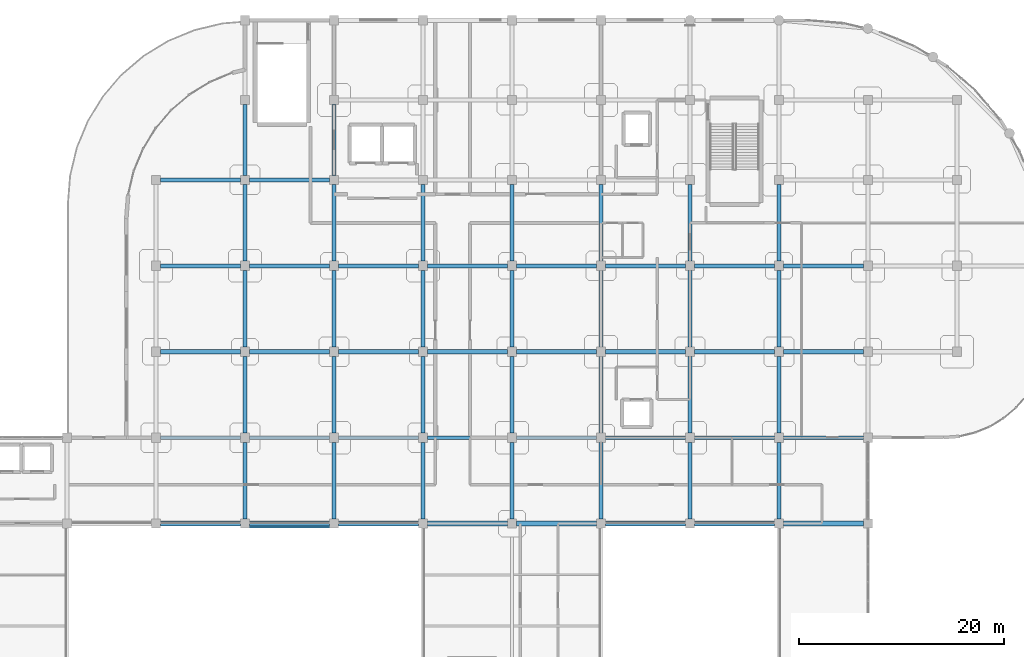
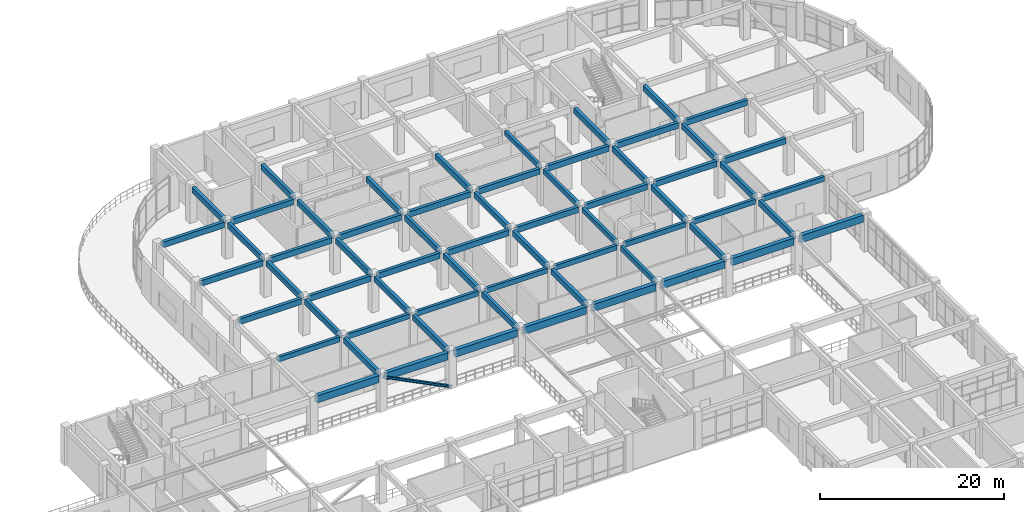
# One storey, part 52 of 120: 64 beams, 1 member.
"""IFC4 building model written with IfcOpenShell, lengths in metres."""

from ifc_helpers import new_model, si_unit, derived_unit, direction, frame, origin, origin_2d, place, context, subcontext, project, spatial, rectangle, i_section, extrude, material, material_profile, profile_set, type_object, element, save


model = new_model("IFC4")

# Units and contexts
model_context = context("Model", 3, precision=1e-05, world=origin(), true_north=direction((0.0, 1.0)))
body_context = subcontext(model_context, "Body", "Model", "MODEL_VIEW")
ifc_project = project(units=[si_unit("LENGTHUNIT", "METRE"), si_unit("AREAUNIT", "SQUARE_METRE"), si_unit("VOLUMEUNIT", "CUBIC_METRE"), si_unit("PLANEANGLEUNIT", "RADIAN"), si_unit("MASSUNIT", "GRAM", prefix="KILO"), derived_unit("THERMALTRANSMITTANCEUNIT", [(si_unit("MASSUNIT", "GRAM", prefix="KILO"), 1), (si_unit("TIMEUNIT", "SECOND"), -3), (si_unit("THERMODYNAMICTEMPERATUREUNIT", "KELVIN"), -1)])], contexts=[model_context])

# Site, building, storey
site_placement = place(None, origin())
site = spatial("IfcSite", under=ifc_project, at=site_placement, CompositionType="ELEMENT")
building_placement = place(site_placement, origin())
building = spatial("IfcBuilding", under=site, at=building_placement, Name="Qinzheling Arcade Emporium", CompositionType="ELEMENT")
storey_placement = place(building_placement, frame((0.0, 0.0, 11.39990234375)))
storey = spatial("IfcBuildingStorey", under=building, at=storey_placement, Name="L03", CompositionType="ELEMENT", Elevation=11.39990234375)

# Member
ifc_material_1 = material(Name="Structural steel Q355B", Category="steel")
ifc_material_profile_1 = material_profile(ifc_material_1, i_section(OverallWidth=0.300048828125, OverallDepth=0.300048828125, WebThickness=0.010009765625, FlangeThickness=0.014892578125, FilletRadius=0.01806640625, at=origin_2d()), Name="HW 300x300x10x15", Category="steel")
ifc_profile_set_1 = profile_set([ifc_material_profile_1], Name="Structural steel Q355B")
member_type = type_object("IfcMemberType", Name="Escalator Truss Stringer HW300 Q355B", PredefinedType="STRINGER", material=ifc_profile_set_1)
member_placement = place(storey_placement, frame((78.300048828125, 65.1201171875, 0.18017578125), z_axis=(-0.893608196207, 0.0, 0.448847849134), x_axis=(0.0, -1.0, 0.0)))
element("IfcMember", 1, at=member_placement, inside=storey, type_object=member_type, Name="Escalator Stringer ESC-STR-L03-2", PredefinedType="STRINGER", context=body_context, shape_type="SweptSolid", body=[
    extrude(i_section(OverallWidth=0.300048828125, OverallDepth=0.300048828125, WebThickness=0.010009765625, FlangeThickness=0.014892578125, FilletRadius=0.01806640625, at=origin_2d()), origin(), (0.0, 0.0, 1.0), 9.73583984375),
])

# Beams
ifc_material_2 = material(Name="Concrete C40", Category="concrete")
ifc_material_profile_2 = material_profile(ifc_material_2, rectangle(XDim=0.39990234375, YDim=0.75, at=origin_2d()), Name="RC 400x750", Category="concrete")
ifc_profile_set_2 = profile_set([ifc_material_profile_2], Name="Concrete C40")
beam_type_1 = type_object("IfcBeamType", Name="RC Interior Tie Beam 400x750 C40", PredefinedType="BEAM", material=ifc_profile_set_2)
beam_1_placement = place(storey_placement, frame((61.35009765625, 82.199951171875, 4.445068359375), z_axis=(1.0, 0.0, 0.0), x_axis=(0.0, 1.0, 0.0)))
element("IfcBeam", 2, at=beam_1_placement, inside=storey, type_object=beam_type_1, Name="Beam BM-L03-X-K-8", PredefinedType="BEAM", context=body_context, shape_type="SweptSolid", body=[
    extrude(rectangle(XDim=0.39990234375, YDim=0.75, at=origin_2d()), origin(), (0.0, 0.0, 1.0), 7.7998046875),
])
for number, where, z_axis, x_axis, name in (
    (3, (70.050048828125, 82.199951171875, 4.445068359375), (1.0, 0.0, 0.0), (0.0, 1.0, 0.0), "Beam BM-L03-X-K-9"),
    (4, (78.75, 82.199951171875, 4.445068359375), (1.0, 0.0, 0.0), (0.0, 1.0, 0.0), "Beam BM-L03-X-K-10"),
    (5, (87.449951171875, 82.199951171875, 4.445068359375), (1.0, 0.0, 0.0), (0.0, 1.0, 0.0), "Beam BM-L03-X-K-11"),
    (6, (96.14990234375, 82.199951171875, 4.445068359375), (1.0, 0.0, 0.0), (0.0, 1.0, 0.0), "Beam BM-L03-X-K-12"),
):
    element("IfcBeam", number, at=place(storey_placement, frame(where, z_axis=z_axis, x_axis=x_axis)), inside=storey, type_object=beam_type_1, Name=name, PredefinedType="BEAM", context=body_context, shape_type="SweptSolid", body=[
        extrude(rectangle(XDim=0.39990234375, YDim=0.75, at=origin_2d()), origin(), (0.0, 0.0, 1.0), 7.800048828125),
    ])
beam_2_placement = place(storey_placement, frame((104.85009765625, 82.199951171875, 4.460205078125), z_axis=(1.0, 0.0, 0.0), x_axis=(0.0, 1.0, 0.0)))
element("IfcBeam", 7, at=beam_2_placement, inside=storey, type_object=beam_type_1, Name="Beam BM-L03-X-K-13", PredefinedType="BEAM", context=body_context, shape_type="SweptSolid", body=[
    extrude(rectangle(XDim=0.39990234375, YDim=0.75, at=origin_2d()), origin(), (0.0, 0.0, 1.0), 7.7998046875),
])
for number, where, z_axis, x_axis, name in (
    (8, (113.550048828125, 82.199951171875, 4.460205078125), (1.0, 0.0, 0.0), (0.0, 1.0, 0.0), "Beam BM-L03-X-K-14"),
    (9, (122.25, 82.199951171875, 4.460205078125), (1.0, 0.0, 0.0), (0.0, 1.0, 0.0), "Beam BM-L03-X-K-15"),
):
    element("IfcBeam", number, at=place(storey_placement, frame(where, z_axis=z_axis, x_axis=x_axis)), inside=storey, type_object=beam_type_1, Name=name, PredefinedType="BEAM", context=body_context, shape_type="SweptSolid", body=[
        extrude(rectangle(XDim=0.39990234375, YDim=0.75, at=origin_2d()), origin(), (0.0, 0.0, 1.0), 7.800048828125),
    ])
beam_3_placement = place(storey_placement, frame((61.35009765625, 90.60009765625, 4.445068359375), z_axis=(1.0, 0.0, 0.0), x_axis=(0.0, 1.0, 0.0)))
element("IfcBeam", 10, at=beam_3_placement, inside=storey, type_object=beam_type_1, Name="Beam BM-L03-X-L-8", PredefinedType="BEAM", context=body_context, shape_type="SweptSolid", body=[
    extrude(rectangle(XDim=0.39990234375, YDim=0.75, at=origin_2d()), origin(), (0.0, 0.0, 1.0), 7.7998046875),
])
for number, where, z_axis, x_axis, name in (
    (11, (70.050048828125, 90.60009765625, 4.445068359375), (1.0, 0.0, 0.0), (0.0, 1.0, 0.0), "Beam BM-L03-X-L-9"),
    (12, (78.75, 90.60009765625, 4.445068359375), (1.0, 0.0, 0.0), (0.0, 1.0, 0.0), "Beam BM-L03-X-L-10"),
    (13, (87.449951171875, 90.60009765625, 4.445068359375), (1.0, 0.0, 0.0), (0.0, 1.0, 0.0), "Beam BM-L03-X-L-11"),
    (14, (96.14990234375, 90.60009765625, 4.445068359375), (1.0, 0.0, 0.0), (0.0, 1.0, 0.0), "Beam BM-L03-X-L-12"),
):
    element("IfcBeam", number, at=place(storey_placement, frame(where, z_axis=z_axis, x_axis=x_axis)), inside=storey, type_object=beam_type_1, Name=name, PredefinedType="BEAM", context=body_context, shape_type="SweptSolid", body=[
        extrude(rectangle(XDim=0.39990234375, YDim=0.75, at=origin_2d()), origin(), (0.0, 0.0, 1.0), 7.800048828125),
    ])
beam_4_placement = place(storey_placement, frame((104.85009765625, 90.60009765625, 4.460205078125), z_axis=(1.0, 0.0, 0.0), x_axis=(0.0, 1.0, 0.0)))
element("IfcBeam", 15, at=beam_4_placement, inside=storey, type_object=beam_type_1, Name="Beam BM-L03-X-L-13", PredefinedType="BEAM", context=body_context, shape_type="SweptSolid", body=[
    extrude(rectangle(XDim=0.39990234375, YDim=0.75, at=origin_2d()), origin(), (0.0, 0.0, 1.0), 7.7998046875),
])
for number, where, z_axis, x_axis, name in (
    (16, (113.550048828125, 90.60009765625, 4.460205078125), (1.0, 0.0, 0.0), (0.0, 1.0, 0.0), "Beam BM-L03-X-L-14"),
    (17, (122.25, 90.60009765625, 4.460205078125), (1.0, 0.0, 0.0), (0.0, 1.0, 0.0), "Beam BM-L03-X-L-15"),
):
    element("IfcBeam", number, at=place(storey_placement, frame(where, z_axis=z_axis, x_axis=x_axis)), inside=storey, type_object=beam_type_1, Name=name, PredefinedType="BEAM", context=body_context, shape_type="SweptSolid", body=[
        extrude(rectangle(XDim=0.39990234375, YDim=0.75, at=origin_2d()), origin(), (0.0, 0.0, 1.0), 7.800048828125),
    ])
beam_5_placement = place(storey_placement, frame((61.35009765625, 99.0, 4.445068359375), z_axis=(1.0, 0.0, 0.0), x_axis=(0.0, 1.0, 0.0)))
element("IfcBeam", 18, at=beam_5_placement, inside=storey, type_object=beam_type_1, Name="Beam BM-L03-X-M-8", PredefinedType="BEAM", context=body_context, shape_type="SweptSolid", body=[
    extrude(rectangle(XDim=0.39990234375, YDim=0.75, at=origin_2d()), origin(), (0.0, 0.0, 1.0), 7.7998046875),
])
beam_6_placement = place(storey_placement, frame((70.050048828125, 99.0, 4.445068359375), z_axis=(1.0, 0.0, 0.0), x_axis=(0.0, 1.0, 0.0)))
element("IfcBeam", 19, at=beam_6_placement, inside=storey, type_object=beam_type_1, Name="Beam BM-L03-X-M-9", PredefinedType="BEAM", context=body_context, shape_type="SweptSolid", body=[
    extrude(rectangle(XDim=0.39990234375, YDim=0.75, at=origin_2d()), origin(), (0.0, 0.0, 1.0), 7.800048828125),
])
for number, where, z_axis, x_axis, name in (
    (20, (69.60009765625, 65.85009765625, 4.445068359375), (0.0, 1.0, 0.0), (-1.0, 0.0, 0.0), "Beam BM-L03-Y-9-H"),
    (21, (69.60009765625, 74.25, 4.445068359375), (0.0, 1.0, 0.0), (-1.0, 0.0, 0.0), "Beam BM-L03-Y-9-J"),
    (22, (69.60009765625, 82.64990234375, 4.445068359375), (0.0, 1.0, 0.0), (-1.0, 0.0, 0.0), "Beam BM-L03-Y-9-K"),
    (23, (69.60009765625, 91.050048828125, 4.445068359375), (0.0, 1.0, 0.0), (-1.0, 0.0, 0.0), "Beam BM-L03-Y-9-L"),
):
    element("IfcBeam", number, at=place(storey_placement, frame(where, z_axis=z_axis, x_axis=x_axis)), inside=storey, type_object=beam_type_1, Name=name, PredefinedType="BEAM", context=body_context, shape_type="SweptSolid", body=[
        extrude(rectangle(XDim=0.39990234375, YDim=0.75, at=origin_2d()), origin(), (0.0, 0.0, 1.0), 7.5),
    ])
beam_7_placement = place(storey_placement, frame((69.60009765625, 99.449951171875, 4.445068359375), z_axis=(0.0, 1.0, 0.0), x_axis=(-1.0, 0.0, 0.0)))
element("IfcBeam", 24, at=beam_7_placement, inside=storey, type_object=beam_type_1, Name="Beam BM-L03-Y-9-M", PredefinedType="BEAM", context=body_context, shape_type="SweptSolid", body=[
    extrude(rectangle(XDim=0.39990234375, YDim=0.75, at=origin_2d()), origin(), (0.0, 0.0, 1.0), 6.900146484375),
])
for number, where, z_axis, x_axis, name in (
    (25, (78.300048828125, 65.85009765625, 4.445068359375), (0.0, 1.0, 0.0), (-1.0, 0.0, 0.0), "Beam BM-L03-Y-10-H"),
    (26, (78.300048828125, 74.25, 4.445068359375), (0.0, 1.0, 0.0), (-1.0, 0.0, 0.0), "Beam BM-L03-Y-10-J"),
    (27, (78.300048828125, 82.64990234375, 4.445068359375), (0.0, 1.0, 0.0), (-1.0, 0.0, 0.0), "Beam BM-L03-Y-10-K"),
    (28, (78.300048828125, 91.050048828125, 4.445068359375), (0.0, 1.0, 0.0), (-1.0, 0.0, 0.0), "Beam BM-L03-Y-10-L"),
):
    element("IfcBeam", number, at=place(storey_placement, frame(where, z_axis=z_axis, x_axis=x_axis)), inside=storey, type_object=beam_type_1, Name=name, PredefinedType="BEAM", context=body_context, shape_type="SweptSolid", body=[
        extrude(rectangle(XDim=0.39990234375, YDim=0.75, at=origin_2d()), origin(), (0.0, 0.0, 1.0), 7.5),
    ])
beam_8_placement = place(storey_placement, frame((78.300048828125, 99.449951171875, 4.445068359375), z_axis=(0.0, 1.0, 0.0), x_axis=(-1.0, 0.0, 0.0)))
element("IfcBeam", 29, at=beam_8_placement, inside=storey, type_object=beam_type_1, Name="Beam BM-L03-Y-10-M", PredefinedType="BEAM", context=body_context, shape_type="SweptSolid", body=[
    extrude(rectangle(XDim=0.39990234375, YDim=0.75, at=origin_2d()), origin(), (0.0, 0.0, 1.0), 6.900146484375),
])
for number, where, z_axis, x_axis, name in (
    (30, (87.0, 65.85009765625, 4.445068359375), (0.0, 1.0, 0.0), (-1.0, 0.0, 0.0), "Beam BM-L03-Y-11-H"),
    (31, (87.0, 74.25, 4.445068359375), (0.0, 1.0, 0.0), (-1.0, 0.0, 0.0), "Beam BM-L03-Y-11-J"),
    (32, (87.0, 82.64990234375, 4.445068359375), (0.0, 1.0, 0.0), (-1.0, 0.0, 0.0), "Beam BM-L03-Y-11-K"),
    (33, (87.0, 91.050048828125, 4.445068359375), (0.0, 1.0, 0.0), (-1.0, 0.0, 0.0), "Beam BM-L03-Y-11-L"),
    (34, (95.699951171875, 65.85009765625, 4.445068359375), (0.0, 1.0, 0.0), (-1.0, 0.0, 0.0), "Beam BM-L03-Y-12-H"),
    (35, (95.699951171875, 74.25, 4.445068359375), (0.0, 1.0, 0.0), (-1.0, 0.0, 0.0), "Beam BM-L03-Y-12-J"),
    (36, (95.699951171875, 82.64990234375, 4.445068359375), (0.0, 1.0, 0.0), (-1.0, 0.0, 0.0), "Beam BM-L03-Y-12-K"),
    (37, (95.699951171875, 91.050048828125, 4.445068359375), (0.0, 1.0, 0.0), (-1.0, 0.0, 0.0), "Beam BM-L03-Y-12-L"),
    (38, (113.10009765625, 65.85009765625, 4.445068359375), (0.0, 1.0, 0.0), (-1.0, 0.0, 0.0), "Beam BM-L03-Y-14-H"),
    (39, (113.10009765625, 74.25, 4.460205078125), (0.0, 1.0, 0.0), (-1.0, 0.0, 0.0), "Beam BM-L03-Y-14-J"),
    (40, (113.10009765625, 82.64990234375, 4.460205078125), (0.0, 1.0, 0.0), (-1.0, 0.0, 0.0), "Beam BM-L03-Y-14-K"),
    (41, (113.10009765625, 91.050048828125, 4.460205078125), (0.0, 1.0, 0.0), (-1.0, 0.0, 0.0), "Beam BM-L03-Y-14-L"),
    (42, (121.800048828125, 65.85009765625, 4.445068359375), (0.0, 1.0, 0.0), (-1.0, 0.0, 0.0), "Beam BM-L03-Y-15-H"),
    (43, (121.800048828125, 74.25, 4.460205078125), (0.0, 1.0, 0.0), (-1.0, 0.0, 0.0), "Beam BM-L03-Y-15-J"),
    (44, (121.800048828125, 82.64990234375, 4.460205078125), (0.0, 1.0, 0.0), (-1.0, 0.0, 0.0), "Beam BM-L03-Y-15-K"),
    (45, (121.800048828125, 91.050048828125, 4.460205078125), (0.0, 1.0, 0.0), (-1.0, 0.0, 0.0), "Beam BM-L03-Y-15-L"),
):
    element("IfcBeam", number, at=place(storey_placement, frame(where, z_axis=z_axis, x_axis=x_axis)), inside=storey, type_object=beam_type_1, Name=name, PredefinedType="BEAM", context=body_context, shape_type="SweptSolid", body=[
        extrude(rectangle(XDim=0.39990234375, YDim=0.75, at=origin_2d()), origin(), (0.0, 0.0, 1.0), 7.5),
    ])
ifc_material_profile_3 = material_profile(ifc_material_2, rectangle(XDim=0.35009765625, YDim=0.64990234375, at=origin_2d()), Name="RC 350x650", Category="concrete")
ifc_profile_set_3 = profile_set([ifc_material_profile_3], Name="Concrete C40")
beam_type_2 = type_object("IfcBeamType", Name="RC Spandrel Edge Beam 350x650 C40", PredefinedType="SPANDREL", material=ifc_profile_set_3)
beam_9_placement = place(storey_placement, frame((61.35009765625, 73.800048828125, 4.4951171875), z_axis=(1.0, 0.0, 0.0), x_axis=(0.0, 1.0, 0.0)))
element("IfcBeam", 46, at=beam_9_placement, inside=storey, type_object=beam_type_2, Name="Beam BM-L03-X-J-8", PredefinedType="SPANDREL", context=body_context, shape_type="SweptSolid", body=[
    extrude(rectangle(XDim=0.35009765625, YDim=0.64990234375, at=origin_2d()), origin(), (0.0, 0.0, 1.0), 7.7998046875),
])
for number, where, z_axis, x_axis, name in (
    (47, (70.050048828125, 73.800048828125, 4.4951171875), (1.0, 0.0, 0.0), (0.0, 1.0, 0.0), "Beam BM-L03-X-J-9"),
    (48, (78.75, 73.800048828125, 4.4951171875), (1.0, 0.0, 0.0), (0.0, 1.0, 0.0), "Beam BM-L03-X-J-10"),
    (49, (87.449951171875, 73.800048828125, 4.4951171875), (1.0, 0.0, 0.0), (0.0, 1.0, 0.0), "Beam BM-L03-X-J-11"),
    (50, (96.14990234375, 73.800048828125, 4.4951171875), (1.0, 0.0, 0.0), (0.0, 1.0, 0.0), "Beam BM-L03-X-J-12"),
):
    element("IfcBeam", number, at=place(storey_placement, frame(where, z_axis=z_axis, x_axis=x_axis)), inside=storey, type_object=beam_type_2, Name=name, PredefinedType="SPANDREL", context=body_context, shape_type="SweptSolid", body=[
        extrude(rectangle(XDim=0.35009765625, YDim=0.64990234375, at=origin_2d()), origin(), (0.0, 0.0, 1.0), 7.800048828125),
    ])
beam_10_placement = place(storey_placement, frame((104.85009765625, 73.800048828125, 4.510009765625), z_axis=(1.0, 0.0, 0.0), x_axis=(0.0, 1.0, 0.0)))
element("IfcBeam", 51, at=beam_10_placement, inside=storey, type_object=beam_type_2, Name="Beam BM-L03-X-J-13", PredefinedType="SPANDREL", context=body_context, shape_type="SweptSolid", body=[
    extrude(rectangle(XDim=0.35009765625, YDim=0.64990234375, at=origin_2d()), origin(), (0.0, 0.0, 1.0), 7.7998046875),
])
for number, where, z_axis, x_axis, name in (
    (52, (113.550048828125, 73.800048828125, 4.510009765625), (1.0, 0.0, 0.0), (0.0, 1.0, 0.0), "Beam BM-L03-X-J-14"),
    (53, (122.25, 73.800048828125, 4.510009765625), (1.0, 0.0, 0.0), (0.0, 1.0, 0.0), "Beam BM-L03-X-J-15"),
):
    element("IfcBeam", number, at=place(storey_placement, frame(where, z_axis=z_axis, x_axis=x_axis)), inside=storey, type_object=beam_type_2, Name=name, PredefinedType="SPANDREL", context=body_context, shape_type="SweptSolid", body=[
        extrude(rectangle(XDim=0.35009765625, YDim=0.64990234375, at=origin_2d()), origin(), (0.0, 0.0, 1.0), 7.800048828125),
    ])
for number, where, z_axis, x_axis, name in (
    (54, (104.39990234375, 65.85009765625, 4.4951171875), (0.0, 1.0, 0.0), (-1.0, 0.0, 0.0), "Beam BM-L03-Y-13-H"),
    (55, (104.39990234375, 74.25, 4.510009765625), (0.0, 1.0, 0.0), (-1.0, 0.0, 0.0), "Beam BM-L03-Y-13-J"),
    (56, (104.39990234375, 82.64990234375, 4.510009765625), (0.0, 1.0, 0.0), (-1.0, 0.0, 0.0), "Beam BM-L03-Y-13-K"),
    (57, (104.39990234375, 91.050048828125, 4.510009765625), (0.0, 1.0, 0.0), (-1.0, 0.0, 0.0), "Beam BM-L03-Y-13-L"),
):
    element("IfcBeam", number, at=place(storey_placement, frame(where, z_axis=z_axis, x_axis=x_axis)), inside=storey, type_object=beam_type_2, Name=name, PredefinedType="SPANDREL", context=body_context, shape_type="SweptSolid", body=[
        extrude(rectangle(XDim=0.35009765625, YDim=0.64990234375, at=origin_2d()), origin(), (0.0, 0.0, 1.0), 7.5),
    ])
ifc_material_profile_4 = material_profile(ifc_material_2, rectangle(XDim=0.5, YDim=0.949951171875, at=origin_2d()), Name="RC 500x950", Category="concrete")
ifc_profile_set_4 = profile_set([ifc_material_profile_4], Name="Concrete C40")
beam_type_3 = type_object("IfcBeamType", Name="RC Vault Ring Beam 500x950 C40", PredefinedType="BEAM", material=ifc_profile_set_4)
beam_11_placement = place(storey_placement, frame((61.35009765625, 65.39990234375, 4.34521484375), z_axis=(1.0, 0.0, 0.0), x_axis=(0.0, 1.0, 0.0)))
element("IfcBeam", 58, at=beam_11_placement, inside=storey, type_object=beam_type_3, Name="Beam BM-L03-X-H-8", PredefinedType="BEAM", context=body_context, shape_type="SweptSolid", body=[
    extrude(rectangle(XDim=0.5, YDim=0.949951171875, at=origin_2d()), origin(), (0.0, 0.0, 1.0), 7.7998046875),
])
for number, where, z_axis, x_axis, name in (
    (59, (70.050048828125, 65.39990234375, 4.34521484375), (1.0, 0.0, 0.0), (0.0, 1.0, 0.0), "Beam BM-L03-X-H-9"),
    (60, (78.75, 65.39990234375, 4.34521484375), (1.0, 0.0, 0.0), (0.0, 1.0, 0.0), "Beam BM-L03-X-H-10"),
    (61, (87.449951171875, 65.39990234375, 4.34521484375), (1.0, 0.0, 0.0), (0.0, 1.0, 0.0), "Beam BM-L03-X-H-11"),
    (62, (96.14990234375, 65.39990234375, 4.34521484375), (1.0, 0.0, 0.0), (0.0, 1.0, 0.0), "Beam BM-L03-X-H-12"),
):
    element("IfcBeam", number, at=place(storey_placement, frame(where, z_axis=z_axis, x_axis=x_axis)), inside=storey, type_object=beam_type_3, Name=name, PredefinedType="BEAM", context=body_context, shape_type="SweptSolid", body=[
        extrude(rectangle(XDim=0.5, YDim=0.949951171875, at=origin_2d()), origin(), (0.0, 0.0, 1.0), 7.800048828125),
    ])
beam_12_placement = place(storey_placement, frame((104.85009765625, 65.39990234375, 4.34521484375), z_axis=(1.0, 0.0, 0.0), x_axis=(0.0, 1.0, 0.0)))
element("IfcBeam", 63, at=beam_12_placement, inside=storey, type_object=beam_type_3, Name="Beam BM-L03-X-H-13", PredefinedType="BEAM", context=body_context, shape_type="SweptSolid", body=[
    extrude(rectangle(XDim=0.5, YDim=0.949951171875, at=origin_2d()), origin(), (0.0, 0.0, 1.0), 7.7998046875),
])
for number, where, z_axis, x_axis, name in (
    (64, (113.550048828125, 65.39990234375, 4.34521484375), (1.0, 0.0, 0.0), (0.0, 1.0, 0.0), "Beam BM-L03-X-H-14"),
    (65, (122.25, 65.39990234375, 4.34521484375), (1.0, 0.0, 0.0), (0.0, 1.0, 0.0), "Beam BM-L03-X-H-15"),
):
    element("IfcBeam", number, at=place(storey_placement, frame(where, z_axis=z_axis, x_axis=x_axis)), inside=storey, type_object=beam_type_3, Name=name, PredefinedType="BEAM", context=body_context, shape_type="SweptSolid", body=[
        extrude(rectangle(XDim=0.5, YDim=0.949951171875, at=origin_2d()), origin(), (0.0, 0.0, 1.0), 7.800048828125),
    ])

save(model, "model.ifc")
